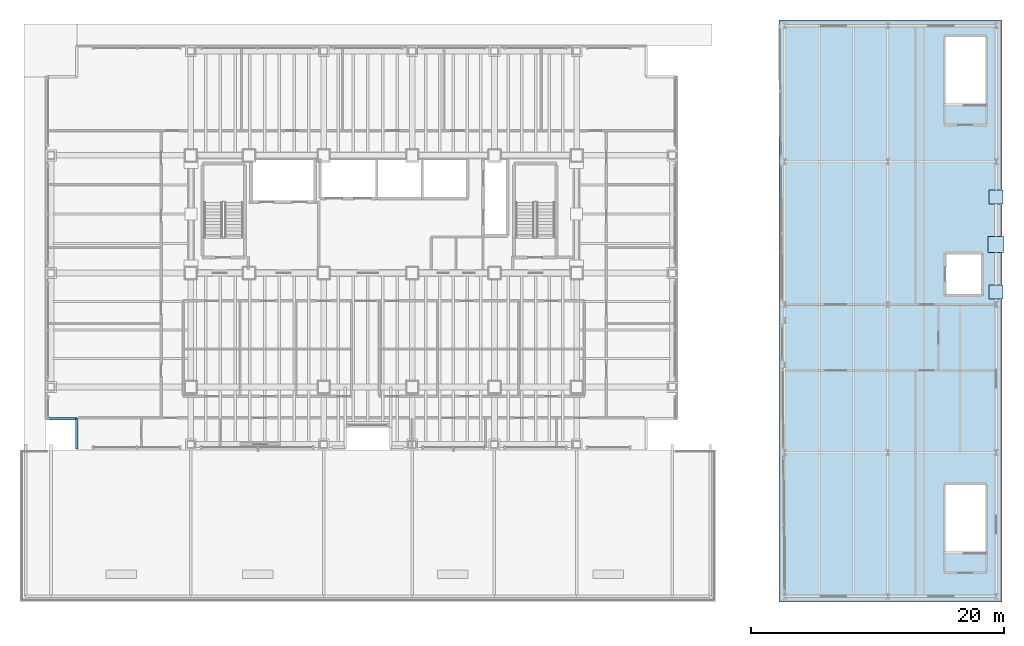
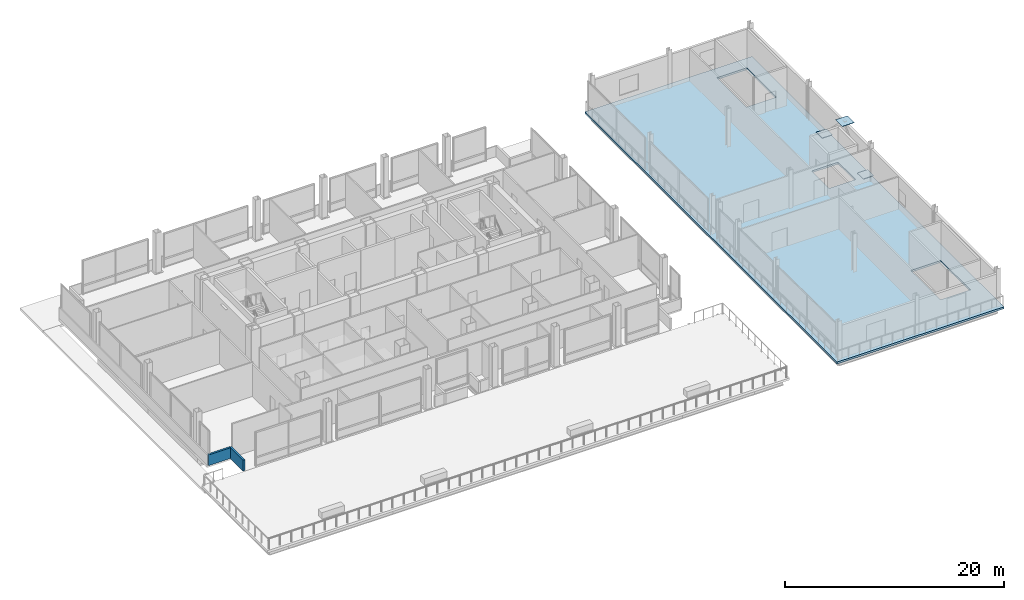
# One storey, part 25 of 34: 3 plates, 2 walls, 1 slab, 3 openings.
"""IFC4 building model written with IfcOpenShell, lengths in metres."""

from ifc_helpers import new_model, si_unit, direction, frame, frame_2d, origin, origin_2d, place, context, subcontext, project, spatial, polyline, rectangle, outline, extrude, material, layer, layer_set, type_object, element, save


model = new_model("IFC4")

# Units and contexts
model_context = context("Model", 3, precision=1e-05, world=origin(), true_north=direction((0.0, 1.0)))
body_context = subcontext(model_context, "Body", "Model", "MODEL_VIEW")
ifc_project = project(units=[si_unit("LENGTHUNIT", "METRE"), si_unit("AREAUNIT", "SQUARE_METRE"), si_unit("VOLUMEUNIT", "CUBIC_METRE"), si_unit("PLANEANGLEUNIT", "RADIAN"), si_unit("MASSUNIT", "GRAM", prefix="KILO")], contexts=[model_context])

# Site, building, storey
site_placement = place(None, origin())
site = spatial("IfcSite", under=ifc_project, at=site_placement, CompositionType="ELEMENT")
building_placement = place(site_placement, origin())
building = spatial("IfcBuilding", under=site, at=building_placement, Name="Noeulbin Bourse Tower", CompositionType="ELEMENT")
storey_placement = place(building_placement, frame((0.0, 0.0, 22.0)))
storey = spatial("IfcBuildingStorey", under=building, at=storey_placement, Name="L05", CompositionType="ELEMENT", Elevation=22.0)

# Plates
ifc_material_1 = material(Name="Steel S460", Category="steel")
ifc_layer_1 = layer(ifc_material_1, 0.0400390625)
ifc_layer_set_1 = layer_set([ifc_layer_1], Name="Steel S460")
plate_type_1 = type_object("IfcPlateType", Name="PLT-KN1", PredefinedType="USERDEFINED", material=ifc_layer_set_1)
plate_placement = place(storey_placement, frame((77.14990234375, 31.25, 3.679931640625), z_axis=(0.0, 0.0, 1.0), x_axis=(1.0, 0.0, 0.0)))
element("IfcPlate", 1, at=plate_placement, inside=storey, type_object=plate_type_1, Name="Market Brace Apex Gusset Plate KN1-ML05M", ObjectType="GUSSET PLATE", PredefinedType="USERDEFINED", context=body_context, shape_type="SweptSolid", body=[
    extrude(rectangle(XDim=1.25, YDim=1.25, at=origin_2d()), origin(), (0.0, 0.0, 1.0), 0.0400390625),
])
ifc_layer_2 = layer(ifc_material_1, 0.035888671875)
ifc_layer_set_2 = layer_set([ifc_layer_2], Name="Steel S460")
plate_type_2 = type_object("IfcPlateType", Name="PLT-KN2", PredefinedType="USERDEFINED", material=ifc_layer_set_2)
for number, where, z_axis, x_axis, name in (
    (2, (77.14990234375, 27.5, 0.0419921875), (0.0, 0.0, 1.0), (1.0, 0.0, 0.0), "Market Brace South Gusset Plate KN2-ML05A"),
    (3, (77.14990234375, 35.0, 0.0419921875), (0.0, 0.0, 1.0), (1.0, 0.0, 0.0), "Market Brace North Gusset Plate KN2-ML05B"),
):
    element("IfcPlate", number, at=place(storey_placement, frame(where, z_axis=z_axis, x_axis=x_axis)), inside=storey, type_object=plate_type_2, Name=name, ObjectType="GUSSET PLATE", PredefinedType="USERDEFINED", context=body_context, shape_type="SweptSolid", body=[
        extrude(rectangle(XDim=1.10009765625, YDim=1.10009765625, at=origin_2d()), origin(), (0.0, 0.0, 1.0), 0.035888671875),
    ])

# Slab, openings
ifc_material_2 = material(Name="Concrete C40/50", Category="concrete")
ifc_layer_3 = layer(ifc_material_2, 0.219970703125)
ifc_layer_set_3 = layer_set([ifc_layer_3], Name="Concrete C40/50")
slab_type = type_object("IfcSlabType", Name="SLB-MKT-220", PredefinedType="FLOOR", material=ifc_layer_set_3)
slab_placement = place(storey_placement, frame((0.0, 0.0, -0.219970703125)))
slab = element("IfcSlab", 4, at=slab_placement, inside=storey, type_object=slab_type, Name="Market Hall Upper Floor Slab L05", PredefinedType="FLOOR", context=body_context, shape_type="SweptSolid", body=[
    extrude(outline(polyline([(60.0, 3.0), (77.60009765625, 3.0), (77.60009765625, 49.0), (60.0, 49.0), (60.0, 3.0)]), holes=[polyline([(76.300048828125, 6.8798828125), (76.300048828125, 12.260009765625), (73.139892578125, 12.260009765625), (73.139892578125, 6.8798828125), (76.300048828125, 6.8798828125)]), polyline([(76.300048828125, 42.280029296875), (76.300048828125, 47.659912109375), (73.139892578125, 47.659912109375), (73.139892578125, 42.280029296875), (76.300048828125, 42.280029296875)]), polyline([(73.199951171875, 27.300048828125), (76.0, 27.300048828125), (76.0, 30.5), (73.199951171875, 30.5), (73.199951171875, 27.300048828125)])]), origin(), (0.0, 0.0, 1.0), 0.219970703125),
])
opening_1_placement = place(slab_placement, frame((0.0, 0.0, -0.010009765625)))
element("IfcOpeningElement", 5, at=opening_1_placement, cuts=slab, Name="Slab Shaft Opening SLB-L05-MKT-1", PredefinedType="OPENING", context=body_context, shape_type="SweptSolid", body=[
    extrude(outline(polyline([(76.300048828125, 6.8798828125), (76.300048828125, 12.260009765625), (73.139892578125, 12.260009765625), (73.139892578125, 6.8798828125), (76.300048828125, 6.8798828125)])), origin(), (0.0, 0.0, 1.0), 0.239990234375),
])
opening_2_placement = place(slab_placement, frame((0.0, 0.0, -0.010009765625)))
element("IfcOpeningElement", 6, at=opening_2_placement, cuts=slab, Name="Slab Shaft Opening SLB-L05-MKT-2", PredefinedType="OPENING", context=body_context, shape_type="SweptSolid", body=[
    extrude(outline(polyline([(76.300048828125, 42.280029296875), (76.300048828125, 47.659912109375), (73.139892578125, 47.659912109375), (73.139892578125, 42.280029296875), (76.300048828125, 42.280029296875)])), origin(), (0.0, 0.0, 1.0), 0.239990234375),
])
opening_3_placement = place(slab_placement, frame((0.0, 0.0, -0.010009765625)))
element("IfcOpeningElement", 7, at=opening_3_placement, cuts=slab, Name="Slab Shaft Opening SLB-L05-MKT-3", PredefinedType="OPENING", context=body_context, shape_type="SweptSolid", body=[
    extrude(outline(polyline([(73.199951171875, 27.300048828125), (76.0, 27.300048828125), (76.0, 30.5), (73.199951171875, 30.5), (73.199951171875, 27.300048828125)])), origin(), (0.0, 0.0, 1.0), 0.239990234375),
])

# Walls
ifc_layer_4 = layer(ifc_material_2, 0.199951171875)
ifc_layer_set_4 = layer_set([ifc_layer_4], Name="Concrete C40/50")
wall_type = type_object("IfcWallType", Name="WAL-PAR-200", PredefinedType="PARAPET", material=ifc_layer_set_4)
for number, where, z_axis, x_axis, name in (
    (8, (2.10009765625, 17.5, 0.0), (0.0, 0.0, 1.0), (1.0, 0.0, 0.0), "Corner Notch Parapet L05-SW1"),
    (9, (4.5, 17.5, 0.0), (0.0, 0.0, 1.0), (0.0, -1.0, 0.0), "Corner Notch Parapet L05-SW2"),
):
    element("IfcWall", number, at=place(storey_placement, frame(where, z_axis=z_axis, x_axis=x_axis)), inside=storey, type_object=wall_type, Name=name, PredefinedType="PARAPET", context=body_context, shape_type="SweptSolid", body=[
        extrude(rectangle(XDim=2.39990234375, YDim=0.199951171875, at=frame_2d((1.199951171875, 0.0))), origin(), (0.0, 0.0, 1.0), 1.199951171875),
    ])

save(model, "model.ifc")
